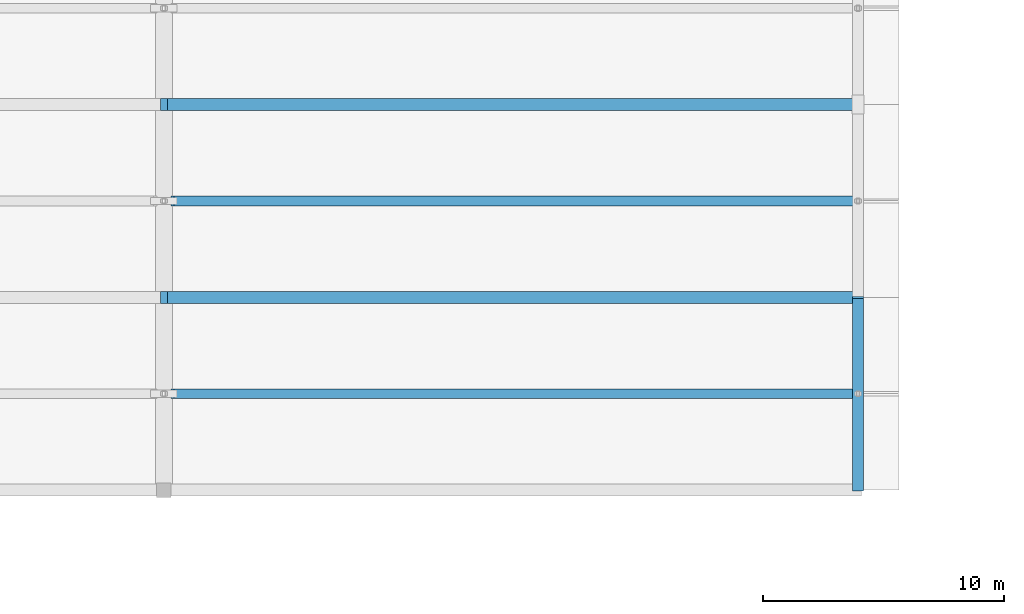
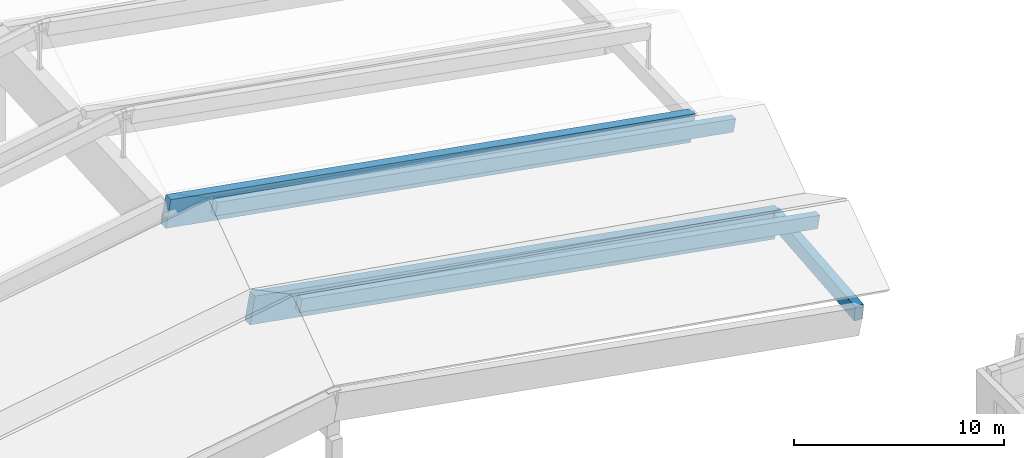
# One storey, part 24 of 109: 5 beams.
"""IFC4 building model written with IfcOpenShell, lengths in metres."""

from ifc_helpers import new_model, si_unit, direction, frame, origin, origin_2d, place, context, subcontext, project, spatial, rectangle, extrude, material, material_profile, profile_set, type_object, element, save


model = new_model("IFC4")

# Units and contexts
model_context = context("Model", 3, precision=1e-05, world=origin(), true_north=direction((0.0, 1.0)))
body_context = subcontext(model_context, "Body", "Model", "MODEL_VIEW")
ifc_project = project(units=[si_unit("LENGTHUNIT", "METRE"), si_unit("AREAUNIT", "SQUARE_METRE"), si_unit("VOLUMEUNIT", "CUBIC_METRE"), si_unit("PLANEANGLEUNIT", "RADIAN"), si_unit("MASSUNIT", "GRAM", prefix="KILO")], contexts=[model_context])

# Site, building, storey
site_placement = place(None, origin())
site = spatial("IfcSite", under=ifc_project, at=site_placement, CompositionType="ELEMENT")
building_placement = place(site_placement, origin())
building = spatial("IfcBuilding", under=site, at=building_placement, Name="Zavelmont Quarter", CompositionType="ELEMENT")
storey_placement = place(building_placement, frame((0.0, 0.0, 8.0)))
storey = spatial("IfcBuildingStorey", under=building, at=storey_placement, Name="L02", CompositionType="ELEMENT", Elevation=8.0)

# Beams
ifc_material = material(Name="Concrete C40/50", Category="concrete")
ifc_material_profile_1 = material_profile(ifc_material, rectangle(XDim=0.39990234375, YDim=0.75, at=origin_2d()), Name="RC400X750")
ifc_profile_set_1 = profile_set([ifc_material_profile_1], Name="Concrete C40/50")
beam_type_1 = type_object("IfcBeamType", Name="BM05", PredefinedType="BEAM", material=ifc_profile_set_1)
for number, where, z_axis, x_axis, name in (
    (1, (84.360107421875, 34.0, 7.304931640625), (0.984299788364, 0.0, -0.176504749585), (0.0, 1.0, 0.0), "L02 beam BM05 13/F to 17/F"),
    (2, (84.360107421875, 42.0, 8.054931640625), (0.984299788364, 0.0, -0.176504749585), (0.0, 1.0, 0.0), "L02 beam BM05 13/G to 17/G"),
):
    element("IfcBeam", number, at=place(storey_placement, frame(where, z_axis=z_axis, x_axis=x_axis)), inside=storey, type_object=beam_type_1, Name=name, PredefinedType="BEAM", context=body_context, shape_type="SweptSolid", body=[
        extrude(rectangle(XDim=0.39990234375, YDim=0.75, at=origin_2d()), origin(), (0.0, 0.0, 1.0), 28.8935546875),
    ])
ifc_material_profile_2 = material_profile(ifc_material, rectangle(XDim=0.449951171875, YDim=0.89990234375, at=origin_2d()), Name="RC450X900")
ifc_profile_set_2 = profile_set([ifc_material_profile_2], Name="Concrete C40/50")
beam_type_2 = type_object("IfcBeamType", Name="BM06", PredefinedType="BEAM", material=ifc_profile_set_2)
beam_placement = place(storey_placement, frame((112.800048828125, 30.0, -0.7451171875), z_axis=(0.0, 0.995634226059, 0.093340708693), x_axis=(-1.0, 0.0, 0.0)))
element("IfcBeam", 3, at=beam_placement, inside=storey, type_object=beam_type_2, Name="L02 beam BM06 17/F to 17/G", PredefinedType="BEAM", context=body_context, shape_type="SweptSolid", body=[
    extrude(rectangle(XDim=0.449951171875, YDim=0.89990234375, at=origin_2d()), origin(), (0.0, 0.0, 1.0), 8.03515625),
])
ifc_material_profile_3 = material_profile(ifc_material, rectangle(XDim=0.5, YDim=1.60009765625, at=origin_2d()), Name="RC500X1600")
ifc_profile_set_3 = profile_set([ifc_material_profile_3], Name="Concrete C40/50")
beam_type_3 = type_object("IfcBeamType", Name="BM08", PredefinedType="BEAM", material=ifc_profile_set_3)
for number, where, z_axis, x_axis, name in (
    (4, (84.0, 38.0, 4.7548828125), (0.984681036413, 0.0, -0.174365296229), (0.0, 1.0, 0.0), "L02 beam BM08 13/G to 17/G"),
    (5, (84.0, 46.0, 5.5048828125), (0.984681036413, 0.0, -0.174365296229), (0.0, 1.0, 0.0), "L02 beam BM08 13/H to 17/H"),
):
    element("IfcBeam", number, at=place(storey_placement, frame(where, z_axis=z_axis, x_axis=x_axis)), inside=storey, type_object=beam_type_3, Name=name, PredefinedType="BEAM", context=body_context, shape_type="SweptSolid", body=[
        extrude(rectangle(XDim=0.5, YDim=1.60009765625, at=origin_2d()), origin(), (0.0, 0.0, 1.0), 29.248046875),
    ])

save(model, "model.ifc")
